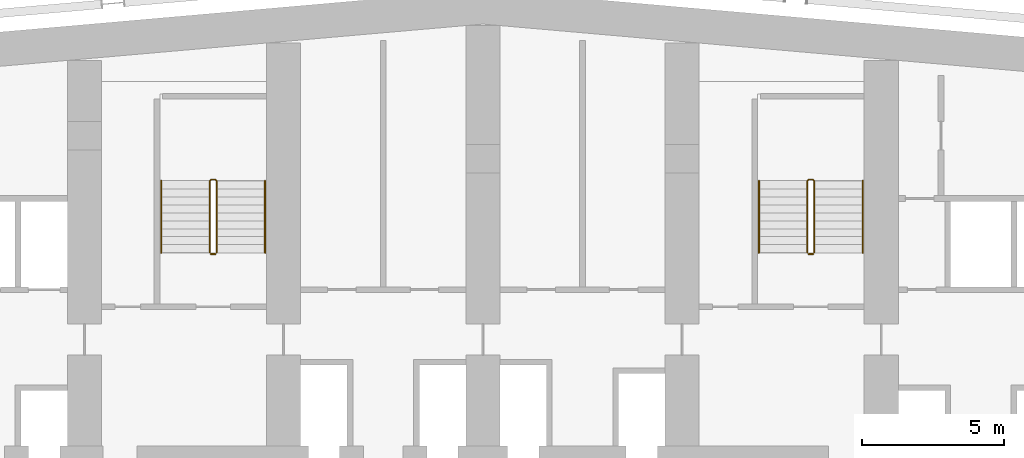
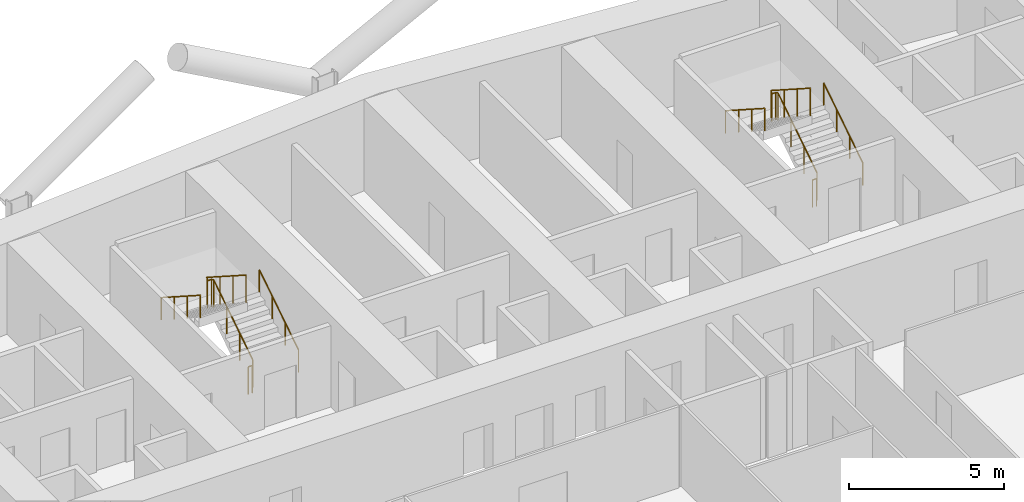
# One storey, part 26 of 27: 8 railings.
"""IFC4 building model written with IfcOpenShell, lengths in metres."""

from ifc_helpers import new_model, si_unit, direction, frame, origin, origin_2d, place, context, subcontext, project, spatial, circle, extrude, material, type_object, element, save


model = new_model("IFC4")

# Units and contexts
model_context = context("Model", 3, precision=1e-05, world=origin(), true_north=direction((0.0, 1.0)))
body_context = subcontext(model_context, "Body", "Model", "MODEL_VIEW")
ifc_project = project(units=[si_unit("LENGTHUNIT", "METRE"), si_unit("AREAUNIT", "SQUARE_METRE"), si_unit("VOLUMEUNIT", "CUBIC_METRE"), si_unit("PLANEANGLEUNIT", "RADIAN"), si_unit("MASSUNIT", "GRAM", prefix="KILO")], contexts=[model_context])

# Site, building, storey
site_placement = place(None, origin())
site = spatial("IfcSite", under=ifc_project, at=site_placement, CompositionType="ELEMENT")
building_placement = place(site_placement, origin())
building = spatial("IfcBuilding", under=site, at=building_placement, Name="Wharfspan Tower", CompositionType="ELEMENT")
storey_placement = place(building_placement, frame((0.0, 0.0, 81.100098)))
storey = spatial("IfcBuildingStorey", under=building, at=storey_placement, Name="L17", CompositionType="ELEMENT", Elevation=81.100098)

# Railings
ifc_material = material(Name="Steel S355J2", Category="steel")
railing_type_1 = type_object("IfcRailingType", Name="Stair guard 1100", PredefinedType="GUARDRAIL", material=ifc_material)
railing_1_placement = place(storey_placement, frame((27.649902, 42.0, 0.179932)))
element("IfcRailing", 1, at=railing_1_placement, inside=storey, type_object=railing_type_1, Name="L17 ST1 stair guard 1", PredefinedType="GUARDRAIL", context=body_context, shape_type="SweptSolid", body=[
    extrude(circle(Radius=0.023926, at=origin_2d()), frame((0.0, 0.0, 1.076172), z_axis=(0.0, 0.8412, 0.540725), x_axis=(-1.0, 0.0, 0.0)), (0.0, 0.0, 1.0), 2.99585),
    extrude(circle(Radius=0.023926, at=origin_2d()), frame((0.0, 2.52002, 2.695801), z_axis=(-0.705376, 0.708834, 0.0), x_axis=(-0.708834, -0.705376, 0.0)), (0.0, 0.0, 1.0), 0.070557),
    extrude(circle(Radius=0.023926, at=origin_2d()), frame((-0.049805, 2.570068, 2.695801), z_axis=(-1.0, 0.0, 0.0), x_axis=(0.0, -1.0, 0.0)), (0.0, 0.0, 1.0), 0.150146),
    extrude(circle(Radius=0.023926, at=origin_2d()), frame((-0.199951, 2.570068, 2.695801), z_axis=(-0.258544, -0.258544, 0.930758), x_axis=(0.707107, -0.707107, 0.0)), (0.0, 0.0, 1.0), 0.193604),
    extrude(circle(Radius=0.023926, at=origin_2d()), frame((-0.25, 2.52002, 2.875977), z_axis=(0.0, -0.8412, 0.540725), x_axis=(1.0, 0.0, 0.0)), (0.0, 0.0, 1.0), 2.99585),
    extrude(circle(Radius=0.020996, at=origin_2d()), origin(), (0.0, 0.0, 1.0), 1.052002),
    extrude(circle(Radius=0.020996, at=origin_2d()), frame((0.0, 0.840088, 0.540039)), (0.0, 0.0, 1.0), 1.052002),
    extrude(circle(Radius=0.020996, at=origin_2d()), frame((0.0, 1.679932, 1.079834)), (0.0, 0.0, 1.0), 1.052002),
    extrude(circle(Radius=0.020996, at=origin_2d()), frame((0.0, 2.52002, 1.619873)), (0.0, 0.0, 1.0), 1.052002),
    extrude(circle(Radius=0.020996, at=origin_2d()), frame((-0.049805, 2.570068, 1.619873)), (0.0, 0.0, 1.0), 1.052002),
    extrude(circle(Radius=0.020996, at=origin_2d()), frame((-0.199951, 2.570068, 1.619873)), (0.0, 0.0, 1.0), 1.052002),
    extrude(circle(Radius=0.020996, at=origin_2d()), frame((-0.25, 2.52002, 1.800049)), (0.0, 0.0, 1.0), 1.052002),
    extrude(circle(Radius=0.020996, at=origin_2d()), frame((-0.25, 1.679932, 2.340088)), (0.0, 0.0, 1.0), 1.052002),
    extrude(circle(Radius=0.020996, at=origin_2d()), frame((-0.25, 0.840088, 2.879883)), (0.0, 0.0, 1.0), 1.052002),
    extrude(circle(Radius=0.020996, at=origin_2d()), frame((-0.25, 0.0, 3.419922)), (0.0, 0.0, 1.0), 1.052002),
])
railing_2_placement = place(storey_placement, frame((27.600098, 41.949951, 0.0)))
element("IfcRailing", 2, at=railing_2_placement, inside=storey, type_object=railing_type_1, Name="L17 ST1 stair guard 2", PredefinedType="GUARDRAIL", context=body_context, shape_type="SweptSolid", body=[
    extrude(circle(Radius=0.023926, at=origin_2d()), frame((0.0, 0.0, 1.076172), z_axis=(-1.0, 0.0, 0.0), x_axis=(0.0, -1.0, 0.0)), (0.0, 0.0, 1.0), 0.150146),
    extrude(circle(Radius=0.020996, at=origin_2d()), origin(), (0.0, 0.0, 1.0), 1.052002),
    extrude(circle(Radius=0.020996, at=origin_2d()), frame((-0.150146, 0.0, 0.0)), (0.0, 0.0, 1.0), 1.052002),
])
railing_3_placement = place(storey_placement, frame((48.649902, 42.0, 0.179932)))
element("IfcRailing", 3, at=railing_3_placement, inside=storey, type_object=railing_type_1, Name="L17 ST2 stair guard 1", PredefinedType="GUARDRAIL", context=body_context, shape_type="SweptSolid", body=[
    extrude(circle(Radius=0.023926, at=origin_2d()), frame((0.0, 0.0, 1.076172), z_axis=(0.0, 0.8412, 0.540725), x_axis=(-1.0, 0.0, 0.0)), (0.0, 0.0, 1.0), 2.99585),
    extrude(circle(Radius=0.023926, at=origin_2d()), frame((0.0, 2.52002, 2.695801), z_axis=(-0.705376, 0.708834, 0.0), x_axis=(-0.708834, -0.705376, 0.0)), (0.0, 0.0, 1.0), 0.070557),
    extrude(circle(Radius=0.023926, at=origin_2d()), frame((-0.049805, 2.570068, 2.695801), z_axis=(-1.0, 0.0, 0.0), x_axis=(0.0, -1.0, 0.0)), (0.0, 0.0, 1.0), 0.150146),
    extrude(circle(Radius=0.023926, at=origin_2d()), frame((-0.199951, 2.570068, 2.695801), z_axis=(-0.258544, -0.258544, 0.930758), x_axis=(0.707107, -0.707107, 0.0)), (0.0, 0.0, 1.0), 0.193604),
    extrude(circle(Radius=0.023926, at=origin_2d()), frame((-0.25, 2.52002, 2.875977), z_axis=(0.0, -0.8412, 0.540725), x_axis=(1.0, 0.0, 0.0)), (0.0, 0.0, 1.0), 2.99585),
    extrude(circle(Radius=0.020996, at=origin_2d()), origin(), (0.0, 0.0, 1.0), 1.052002),
    extrude(circle(Radius=0.020996, at=origin_2d()), frame((0.0, 0.840088, 0.540039)), (0.0, 0.0, 1.0), 1.052002),
    extrude(circle(Radius=0.020996, at=origin_2d()), frame((0.0, 1.679932, 1.079834)), (0.0, 0.0, 1.0), 1.052002),
    extrude(circle(Radius=0.020996, at=origin_2d()), frame((0.0, 2.52002, 1.619873)), (0.0, 0.0, 1.0), 1.052002),
    extrude(circle(Radius=0.020996, at=origin_2d()), frame((-0.049805, 2.570068, 1.619873)), (0.0, 0.0, 1.0), 1.052002),
    extrude(circle(Radius=0.020996, at=origin_2d()), frame((-0.199951, 2.570068, 1.619873)), (0.0, 0.0, 1.0), 1.052002),
    extrude(circle(Radius=0.020996, at=origin_2d()), frame((-0.25, 2.52002, 1.800049)), (0.0, 0.0, 1.0), 1.052002),
    extrude(circle(Radius=0.020996, at=origin_2d()), frame((-0.25, 1.679932, 2.340088)), (0.0, 0.0, 1.0), 1.052002),
    extrude(circle(Radius=0.020996, at=origin_2d()), frame((-0.25, 0.840088, 2.879883)), (0.0, 0.0, 1.0), 1.052002),
    extrude(circle(Radius=0.020996, at=origin_2d()), frame((-0.25, 0.0, 3.419922)), (0.0, 0.0, 1.0), 1.052002),
])
railing_4_placement = place(storey_placement, frame((48.600098, 41.949951, 0.0)))
element("IfcRailing", 4, at=railing_4_placement, inside=storey, type_object=railing_type_1, Name="L17 ST2 stair guard 2", PredefinedType="GUARDRAIL", context=body_context, shape_type="SweptSolid", body=[
    extrude(circle(Radius=0.023926, at=origin_2d()), frame((0.0, 0.0, 1.076172), z_axis=(-1.0, 0.0, 0.0), x_axis=(0.0, -1.0, 0.0)), (0.0, 0.0, 1.0), 0.150146),
    extrude(circle(Radius=0.020996, at=origin_2d()), origin(), (0.0, 0.0, 1.0), 1.052002),
    extrude(circle(Radius=0.020996, at=origin_2d()), frame((-0.150146, 0.0, 0.0)), (0.0, 0.0, 1.0), 1.052002),
])
railing_type_2 = type_object("IfcRailingType", Name="Stair handrail 900", PredefinedType="HANDRAIL", material=ifc_material)
railing_5_placement = place(storey_placement, frame((29.350098, 42.0, 0.179932)))
element("IfcRailing", 5, at=railing_5_placement, inside=storey, type_object=railing_type_2, Name="L17 ST1 stair handrail 1", PredefinedType="HANDRAIL", context=body_context, shape_type="SweptSolid", body=[
    extrude(circle(Radius=0.023926, at=origin_2d()), frame((0.0, 0.0, 0.875977), z_axis=(0.0, 0.8412, 0.540725), x_axis=(-1.0, 0.0, 0.0)), (0.0, 0.0, 1.0), 2.99585),
    extrude(circle(Radius=0.020996, at=origin_2d()), origin(), (0.0, 0.0, 1.0), 0.851807),
    extrude(circle(Radius=0.020996, at=origin_2d()), frame((0.0, 0.840088, 0.540039)), (0.0, 0.0, 1.0), 0.851807),
    extrude(circle(Radius=0.020996, at=origin_2d()), frame((0.0, 1.679932, 1.079834)), (0.0, 0.0, 1.0), 0.851807),
    extrude(circle(Radius=0.020996, at=origin_2d()), frame((0.0, 2.52002, 1.619873)), (0.0, 0.0, 1.0), 0.851807),
])
railing_6_placement = place(storey_placement, frame((25.699951, 44.52002, 1.97998)))
element("IfcRailing", 6, at=railing_6_placement, inside=storey, type_object=railing_type_2, Name="L17 ST1 stair handrail 2", PredefinedType="HANDRAIL", context=body_context, shape_type="SweptSolid", body=[
    extrude(circle(Radius=0.023926, at=origin_2d()), frame((0.0, 0.0, 0.875977), z_axis=(0.0, -0.8412, 0.540725), x_axis=(1.0, 0.0, 0.0)), (0.0, 0.0, 1.0), 2.99585),
    extrude(circle(Radius=0.020996, at=origin_2d()), origin(), (0.0, 0.0, 1.0), 0.851807),
    extrude(circle(Radius=0.020996, at=origin_2d()), frame((0.0, -0.840088, 0.540039)), (0.0, 0.0, 1.0), 0.851807),
    extrude(circle(Radius=0.020996, at=origin_2d()), frame((0.0, -1.679932, 1.079834)), (0.0, 0.0, 1.0), 0.851807),
    extrude(circle(Radius=0.020996, at=origin_2d()), frame((0.0, -2.52002, 1.619873)), (0.0, 0.0, 1.0), 0.851807),
])
railing_7_placement = place(storey_placement, frame((50.350098, 42.0, 0.179932)))
element("IfcRailing", 7, at=railing_7_placement, inside=storey, type_object=railing_type_2, Name="L17 ST2 stair handrail 1", PredefinedType="HANDRAIL", context=body_context, shape_type="SweptSolid", body=[
    extrude(circle(Radius=0.023926, at=origin_2d()), frame((0.0, 0.0, 0.875977), z_axis=(0.0, 0.8412, 0.540725), x_axis=(-1.0, 0.0, 0.0)), (0.0, 0.0, 1.0), 2.99585),
    extrude(circle(Radius=0.020996, at=origin_2d()), origin(), (0.0, 0.0, 1.0), 0.851807),
    extrude(circle(Radius=0.020996, at=origin_2d()), frame((0.0, 0.840088, 0.540039)), (0.0, 0.0, 1.0), 0.851807),
    extrude(circle(Radius=0.020996, at=origin_2d()), frame((0.0, 1.679932, 1.079834)), (0.0, 0.0, 1.0), 0.851807),
    extrude(circle(Radius=0.020996, at=origin_2d()), frame((0.0, 2.52002, 1.619873)), (0.0, 0.0, 1.0), 0.851807),
])
railing_8_placement = place(storey_placement, frame((46.699951, 44.52002, 1.97998)))
element("IfcRailing", 8, at=railing_8_placement, inside=storey, type_object=railing_type_2, Name="L17 ST2 stair handrail 2", PredefinedType="HANDRAIL", context=body_context, shape_type="SweptSolid", body=[
    extrude(circle(Radius=0.023926, at=origin_2d()), frame((0.0, 0.0, 0.875977), z_axis=(0.0, -0.8412, 0.540725), x_axis=(1.0, 0.0, 0.0)), (0.0, 0.0, 1.0), 2.99585),
    extrude(circle(Radius=0.020996, at=origin_2d()), origin(), (0.0, 0.0, 1.0), 0.851807),
    extrude(circle(Radius=0.020996, at=origin_2d()), frame((0.0, -0.840088, 0.540039)), (0.0, 0.0, 1.0), 0.851807),
    extrude(circle(Radius=0.020996, at=origin_2d()), frame((0.0, -1.679932, 1.079834)), (0.0, 0.0, 1.0), 0.851807),
    extrude(circle(Radius=0.020996, at=origin_2d()), frame((0.0, -2.52002, 1.619873)), (0.0, 0.0, 1.0), 0.851807),
])

save(model, "model.ifc")
